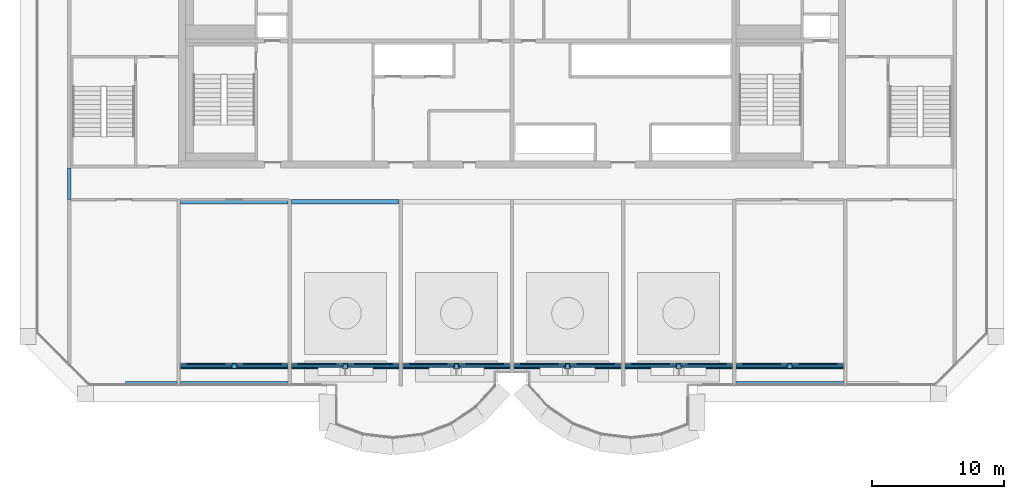
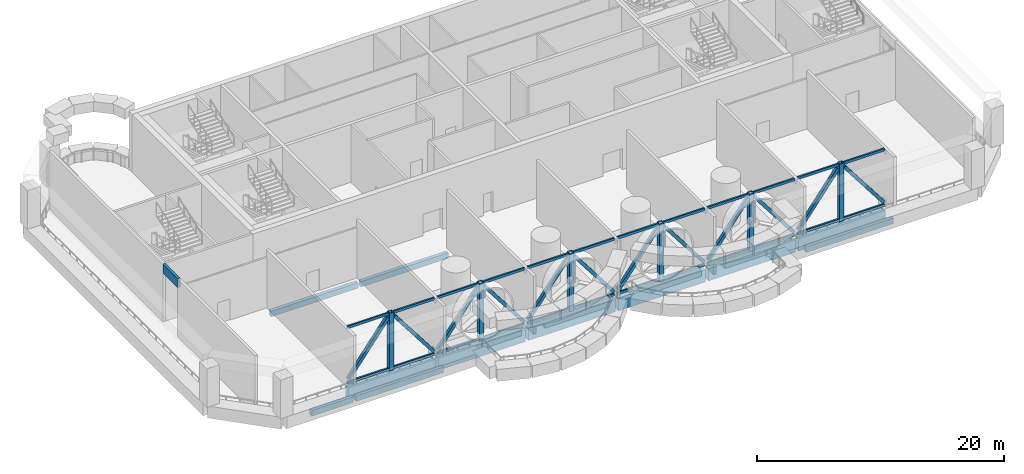
# One storey, part 1 of 15: 42 members, 12 beams.
"""IFC4 building model written with IfcOpenShell, lengths in metres."""

import ifcopenshell
import ifcopenshell.guid

model = None  # the IFC model being written
_history = None  # IfcOwnerHistory: only IFC2X3 demands one
_inside = {}  # id of a spatial element -> (the spatial element, [elements in it])
_under = {}  # id of a project, library or spatial element -> (it, [spatial elements below it])
_declared = {}  # id of a project -> (the project, [libraries it declares])
_typed = {}  # id of a type object -> (the type object, [elements of that type])
_made_of = {}  # id of a material, layer set ... -> (it, [elements and type objects made of it])


def new_model(schema):
    """Start an empty IFC model of exactly this schema.

    Asked for "IFC4X3", IfcOpenShell would pick the latest addendum, in which some entities
    have other attributes; the version numbers below select the first issue.
    IFC2X3 requires an IfcOwnerHistory on every rooted entity: one is made here for all.
    """
    global model, _history
    if schema == "IFC4X3":
        model = ifcopenshell.file(schema_version=(4, 3, 0, 0))
    else:
        model = ifcopenshell.file(schema=schema)
    _inside.clear()
    _under.clear()
    _declared.clear()
    _typed.clear()
    _made_of.clear()
    _history = None
    if model.schema == "IFC2X3":
        org = make("IfcOrganization", Name="unknown")
        user = make(
            "IfcPersonAndOrganization",
            ThePerson=make("IfcPerson", FamilyName="unknown"),
            TheOrganization=org,
        )
        app = make(
            "IfcApplication",
            ApplicationDeveloper=org,
            Version="unknown",
            ApplicationFullName="unknown",
            ApplicationIdentifier="unknown",
        )
        _history = make(
            "IfcOwnerHistory",
            OwningUser=user,
            OwningApplication=app,
            ChangeAction="ADDED",
            CreationDate=0,
        )
    return model


def make(cls, **values):
    """One entity of the class cls with the attributes given. An attribute that is None is left unset."""
    return model.create_entity(
        cls, **{name: value for name, value in values.items() if value is not None}
    )


def rooted(cls, **values):
    """An entity with a GlobalId (a new one), such as an element, a storey or a relation."""
    return make(cls, GlobalId=ifcopenshell.guid.new(), OwnerHistory=_history, **values)


def si_unit(unit_type, name, prefix=None):
    """IfcSIUnit, for example si_unit("LENGTHUNIT", "METRE", prefix="MILLI")."""
    return make("IfcSIUnit", UnitType=unit_type, Prefix=prefix, Name=name)


def assignment(units):
    """IfcUnitAssignment: the units of a project."""
    return None if units is None else make("IfcUnitAssignment", Units=units)


def point(xyz):
    """IfcCartesianPoint."""
    return None if xyz is None else make("IfcCartesianPoint", Coordinates=xyz)


def direction(xyz):
    """IfcDirection."""
    return None if xyz is None else make("IfcDirection", DirectionRatios=xyz)


def frame(location, z_axis=None, x_axis=None):
    """IfcAxis2Placement3D, a coordinate frame: its origin and axes. An axis left out is left unset."""
    return make(
        "IfcAxis2Placement3D",
        Location=point(location),
        Axis=direction(z_axis),
        RefDirection=direction(x_axis),
    )


def frame_2d(location, x_axis=None):
    """IfcAxis2Placement2D, a coordinate frame in the plane: its origin and x axis."""
    return make(
        "IfcAxis2Placement2D", Location=point(location), RefDirection=direction(x_axis)
    )


def origin():
    """The frame at (0, 0, 0) with its axes left unset."""
    return frame((0.0, 0.0, 0.0))


def origin_2d():
    """The frame at (0, 0) in the plane with its x axis left unset."""
    return frame_2d((0.0, 0.0))


def place(relative_to, where):
    """IfcLocalPlacement: puts the frame where relative to a parent placement (None: the world)."""
    return make(
        "IfcLocalPlacement", PlacementRelTo=relative_to, RelativePlacement=where
    )


def context(
    kind, dimensions, precision=None, world=None, true_north=None, identifier=None
):
    """IfcGeometricRepresentationContext, for example the 3D "Model" context."""
    return make(
        "IfcGeometricRepresentationContext",
        ContextIdentifier=identifier,
        ContextType=kind,
        CoordinateSpaceDimension=dimensions,
        Precision=precision,
        WorldCoordinateSystem=world,
        TrueNorth=true_north,
    )


def subcontext(parent, identifier, kind, view, scale=None):
    """IfcGeometricRepresentationSubContext, for example "Body" below "Model"."""
    return make(
        "IfcGeometricRepresentationSubContext",
        ContextIdentifier=identifier,
        ContextType=kind,
        ParentContext=parent,
        TargetScale=scale,
        TargetView=view,
    )


def project(units=None, contexts=None):
    """IfcProject with its units and contexts."""
    return rooted(
        "IfcProject",
        Name="project",
        RepresentationContexts=contexts,
        UnitsInContext=assignment(units),
    )


def spatial(cls, under=None, at=None, **own):
    """A site, building, storey or space (cls), placed at a placement, below another one or the project."""
    s = rooted(cls, ObjectPlacement=at, **own)
    if under is not None:
        _under.setdefault(under.id(), (under, []))[1].append(s)
    return s


def profile(cls, at=None, kind="AREA", **sizes):
    """A parametric profile (cls). Its sizes go by their IFC names, for example OverallWidth=200.0."""
    return make(cls, ProfileType=kind, Position=at, **sizes)


def rectangle(**sizes):
    """IfcRectangleProfileDef."""
    return profile("IfcRectangleProfileDef", **sizes)


def hollow_rectangle(**sizes):
    """IfcRectangleHollowProfileDef."""
    return profile("IfcRectangleHollowProfileDef", **sizes)


def extrude(swept, where, along, depth):
    """IfcExtrudedAreaSolid: the profile swept, set in the frame where, extruded along a direction by depth."""
    return make(
        "IfcExtrudedAreaSolid",
        SweptArea=swept,
        Position=where,
        ExtrudedDirection=direction(along),
        Depth=depth,
    )


def shape(context_of_items, identifier, shape_type, items):
    """IfcShapeRepresentation: the items that make up one representation, for example the "Body"."""
    return make(
        "IfcShapeRepresentation",
        ContextOfItems=context_of_items,
        RepresentationIdentifier=identifier,
        RepresentationType=shape_type,
        Items=items,
    )


def source(mapping_origin, context_of_items, identifier, shape_type, items):
    """IfcRepresentationMap: a shape defined once, which mapped items show again and again."""
    return make(
        "IfcRepresentationMap",
        MappingOrigin=mapping_origin,
        MappedRepresentation=shape(context_of_items, identifier, shape_type, items),
    )


def transform(
    local_origin,
    x_axis=None,
    y_axis=None,
    z_axis=None,
    scale=None,
    scale2=None,
    scale3=None,
    uniform=True,
):
    """IfcCartesianTransformationOperator3D, or its non-uniform kind. x_axis, y_axis, z_axis: its Axis1, 2, 3."""
    if uniform:
        return make(
            "IfcCartesianTransformationOperator3D",
            Axis1=direction(x_axis),
            Axis2=direction(y_axis),
            LocalOrigin=point(local_origin),
            Scale=scale,
            Axis3=direction(z_axis),
        )
    return make(
        "IfcCartesianTransformationOperator3DnonUniform",
        Axis1=direction(x_axis),
        Axis2=direction(y_axis),
        LocalOrigin=point(local_origin),
        Scale=scale,
        Axis3=direction(z_axis),
        Scale2=scale2,
        Scale3=scale3,
    )


def mapped(mapping_source, mapping_target):
    """IfcMappedItem: shows the shape of a source again, moved by a transform."""
    return make(
        "IfcMappedItem", MappingSource=mapping_source, MappingTarget=mapping_target
    )


def material(Name=None, Category=None):
    """IfcMaterial."""
    return make("IfcMaterial", Name=Name, Category=Category)


def material_profile(
    of_material, cross_section, Name=None, Category=None, Priority=None
):
    """IfcMaterialProfile: a cross section and its material."""
    return make(
        "IfcMaterialProfile",
        Name=Name,
        Material=of_material,
        Profile=cross_section,
        Priority=Priority,
        Category=Category,
    )


def profile_set(profiles, Name=None, composite=None):
    """IfcMaterialProfileSet."""
    return make(
        "IfcMaterialProfileSet",
        Name=Name,
        MaterialProfiles=profiles,
        CompositeProfile=composite,
    )


def made_of(thing, what):
    """Note that an element or type object is made of a material, layer set ...; save() writes the relation."""
    if what is not None:
        _made_of.setdefault(what.id(), (what, []))[1].append(thing)
    return thing


def type_object(cls, material=None, **own):
    """A type object (cls), such as IfcWallType, which elements share."""
    return made_of(rooted(cls, **own), material)


def element(
    cls,
    number,
    at=None,
    inside=None,
    cuts=None,
    type_object=None,
    material=None,
    context=None,
    identifier="Body",
    shape_type=None,
    held_by="IfcProductDefinitionShape",
    body=None,
    shapes=None,
    **own,
):
    """One element of the class cls, such as IfcWall. Its Tag is "e" and its number.

    at: its placement. inside: the storey or other place that contains it. cuts: it is an
    opening in that element (IfcRelVoidsElement). A single representation is given by context,
    identifier, shape_type and body (its items); several are given by shapes. held_by: the class
    of the entity that holds the representations. save() writes the other relations.
    """
    e = rooted(cls, Tag="e%d" % number, ObjectPlacement=at, **own)
    if body is not None:
        shapes = [shape(context, identifier, shape_type, body)]
    if shapes is not None:
        e.Representation = make(held_by, Representations=shapes)
    if inside is not None:
        _inside.setdefault(inside.id(), (inside, []))[1].append(e)
    if cuts is not None:
        rooted(
            "IfcRelVoidsElement", RelatingBuildingElement=cuts, RelatedOpeningElement=e
        )
    if type_object is not None:
        _typed.setdefault(type_object.id(), (type_object, []))[1].append(e)
    return made_of(e, material)


def aggregate(whole, parts):
    """IfcRelAggregates: a whole, such as a stair, and the parts it consists of."""
    return rooted("IfcRelAggregates", RelatingObject=whole, RelatedObjects=parts)


def save(model, path):
    """Write the relations noted so far, then the file.

    IfcRelAggregates (storeys below a building ...), IfcRelContainedInSpatialStructure (elements
    in a storey), IfcRelDefinesByType, IfcRelAssociatesMaterial and IfcRelDeclares: one each for
    every whole, place, type object, material and project.
    """
    for whole, parts in _under.values():
        aggregate(whole, parts)
    for where, things in _inside.values():
        rooted(
            "IfcRelContainedInSpatialStructure",
            RelatedElements=things,
            RelatingStructure=where,
        )
    for kind, things in _typed.values():
        rooted("IfcRelDefinesByType", RelatedObjects=things, RelatingType=kind)
    for what, things in _made_of.values():
        rooted("IfcRelAssociatesMaterial", RelatedObjects=things, RelatingMaterial=what)
    for by, libraries in _declared.values():
        rooted("IfcRelDeclares", RelatingContext=by, RelatedDefinitions=libraries)
    model.write(path)


model = new_model("IFC4")

# Units and contexts
model_context = context("Model", 3, precision=1e-05, world=origin(), true_north=direction((0.0, 1.0)))
body_context = subcontext(model_context, "Body", "Model", "MODEL_VIEW")
ifc_project = project(units=[si_unit("LENGTHUNIT", "METRE"), si_unit("AREAUNIT", "SQUARE_METRE"), si_unit("VOLUMEUNIT", "CUBIC_METRE"), si_unit("PLANEANGLEUNIT", "RADIAN"), si_unit("MASSUNIT", "GRAM", prefix="KILO")], contexts=[model_context])

# Site, building, storey
site_placement = place(None, origin())
site = spatial("IfcSite", under=ifc_project, at=site_placement, CompositionType="ELEMENT")
building_placement = place(site_placement, origin())
building = spatial("IfcBuilding", under=site, at=building_placement, Name="Vanashikhar Sky Hotel", CompositionType="ELEMENT")
storey_placement = place(building_placement, frame((0.0, 0.0, 317.699951171875)))
storey = spatial("IfcBuildingStorey", under=building, at=storey_placement, Name="L76", CompositionType="ELEMENT", Elevation=317.699951171875)

# Beams
ifc_material_1 = material(Name="Concrete M50", Category="concrete")
ifc_material_profile_1 = material_profile(ifc_material_1, rectangle(XDim=0.25, YDim=0.89990234375, at=origin_2d()))
ifc_profile_set_1 = profile_set([ifc_material_profile_1], Name="RC 250x900 beam Concrete M50")
beam_type_1 = type_object("IfcBeamType", Name="RC 250x900 beam Concrete M50", PredefinedType="LINTEL", material=ifc_profile_set_1)
shared_shape_1 = source(origin(), body_context, "Body", "SweptSolid", [
    extrude(rectangle(XDim=0.25, YDim=0.89990234375, at=origin_2d()), origin(), (0.0, 0.0, 1.0), 2.39990234375),
])
beam_1_placement = place(storey_placement, frame((16.925048828125, 19.60009765625, 5.27001953125), z_axis=(0.0, 1.0, 0.0), x_axis=(-1.0, 0.0, 0.0)))
element("IfcBeam", 1, at=beam_1_placement, inside=storey, type_object=beam_type_1, Name="LB-L76-XW03", PredefinedType="LINTEL", context=body_context, shape_type="MappedRepresentation", body=[
    mapped(shared_shape_1, transform((0.0, 0.0, 0.0), scale=1.0)),
])
ifc_material_profile_2 = material_profile(ifc_material_1, rectangle(XDim=0.35009765625, YDim=0.550048828125, at=origin_2d()))
ifc_profile_set_2 = profile_set([ifc_material_profile_2], Name="RC 350x550 beam Concrete M50")
beam_type_2 = type_object("IfcBeamType", Name="RC 350x550 beam Concrete M50", PredefinedType="SPANDREL", material=ifc_profile_set_2)
shared_shape_2 = source(origin(), body_context, "Body", "SweptSolid", [
    extrude(rectangle(XDim=0.35009765625, YDim=0.550048828125, at=origin_2d()), origin(), (0.0, 0.0, 1.0), 8.150146484375),
])
for number, where, z_axis, x_axis, name in (
    (2, (25.324951171875, 5.675048828125, -0.554931640625), (1.0, 0.0, 0.0), (0.0, 1.0, 0.0), "EB-L76-F01"),
    (3, (67.324951171875, 5.675048828125, -0.554931640625), (1.0, 0.0, 0.0), (0.0, 1.0, 0.0), "EB-L76-F03"),
    (4, (25.324951171875, 19.425048828125, -0.554931640625), (1.0, 0.0, 0.0), (0.0, 1.0, 0.0), "CB-L76-01"),
):
    element("IfcBeam", number, at=place(storey_placement, frame(where, z_axis=z_axis, x_axis=x_axis)), inside=storey, type_object=beam_type_2, Name=name, PredefinedType="SPANDREL", context=body_context, shape_type="MappedRepresentation", body=[
        mapped(shared_shape_2, transform((0.0, 0.0, 0.0), scale=1.0)),
    ])
ifc_material_profile_3 = material_profile(ifc_material_1, rectangle(XDim=0.35009765625, YDim=0.550048828125, at=origin_2d()))
ifc_profile_set_3 = profile_set([ifc_material_profile_3], Name="RC 350x550 cantilever beam Concrete M50")
beam_type_3 = type_object("IfcBeamType", Name="RC 350x550 cantilever beam Concrete M50", PredefinedType="SPANDREL", material=ifc_profile_set_3)
shared_shape_3 = source(origin(), body_context, "Body", "SweptSolid", [
    extrude(rectangle(XDim=0.35009765625, YDim=0.550048828125, at=origin_2d()), origin(), (0.0, 0.0, 1.0), 3.89990234375),
])
beam_2_placement = place(storey_placement, frame((21.175048828125, 5.675048828125, -0.554931640625), z_axis=(1.0, 0.0, 0.0), x_axis=(0.0, 1.0, 0.0)))
element("IfcBeam", 5, at=beam_2_placement, inside=storey, type_object=beam_type_3, Name="EB-L76-F02", PredefinedType="SPANDREL", context=body_context, shape_type="MappedRepresentation", body=[
    mapped(shared_shape_3, transform((0.0, 0.0, 0.0), scale=1.0)),
])
shared_shape_4 = source(origin(), body_context, "Body", "SweptSolid", [
    extrude(rectangle(XDim=0.35009765625, YDim=0.550048828125, at=origin_2d()), origin(), (0.0, 0.0, 1.0), 8.14990234375),
])
beam_3_placement = place(storey_placement, frame((33.72509765625, 19.425048828125, -0.554931640625), z_axis=(1.0, 0.0, 0.0), x_axis=(0.0, 1.0, 0.0)))
element("IfcBeam", 6, at=beam_3_placement, inside=storey, type_object=beam_type_2, Name="CB-L76-02", PredefinedType="SPANDREL", context=body_context, shape_type="MappedRepresentation", body=[
    mapped(shared_shape_4, transform((0.0, 0.0, 0.0), scale=1.0)),
])
ifc_material_profile_4 = material_profile(ifc_material_1, rectangle(XDim=0.449951171875, YDim=1.199951171875, at=origin_2d()))
ifc_profile_set_4 = profile_set([ifc_material_profile_4], Name="RC 450x1200 beam Concrete M50")
beam_type_4 = type_object("IfcBeamType", Name="RC 450x1200 beam Concrete M50", PredefinedType="BEAM", material=ifc_profile_set_4)
shared_shape_5 = source(origin(), body_context, "Body", "SweptSolid", [
    extrude(rectangle(XDim=0.449951171875, YDim=1.199951171875, at=origin_2d()), origin(), (0.0, 0.0, 1.0), 8.150146484375),
])
for number, where, z_axis, x_axis, name in (
    (7, (25.324951171875, 7.0, -0.8798828125), (1.0, 0.0, 0.0), (0.0, 1.0, 0.0), "TG-L76-F01"),
    (8, (50.52490234375, 7.0, -0.8798828125), (1.0, 0.0, 0.0), (0.0, 1.0, 0.0), "TG-L76-F04"),
    (9, (67.324951171875, 7.0, -0.8798828125), (1.0, 0.0, 0.0), (0.0, 1.0, 0.0), "TG-L76-F06"),
):
    element("IfcBeam", number, at=place(storey_placement, frame(where, z_axis=z_axis, x_axis=x_axis)), inside=storey, type_object=beam_type_4, Name=name, PredefinedType="BEAM", context=body_context, shape_type="MappedRepresentation", body=[
        mapped(shared_shape_5, transform((0.0, 0.0, 0.0), scale=1.0)),
    ])

# Members
ifc_material_2 = material(Name="Steel S355", Category="steel")
ifc_material_profile_5 = material_profile(ifc_material_2, hollow_rectangle(XDim=0.39990234375, YDim=0.39990234375, WallThickness=0.02001953125, at=origin_2d()))
ifc_profile_set_5 = profile_set([ifc_material_profile_5], Name="RHS 400x400x20 Steel S355")
member_type_1 = type_object("IfcMemberType", Name="RHS 400x400x20 Steel S355", PredefinedType="POST", material=ifc_profile_set_5)
shared_shape_6 = source(origin(), body_context, "Body", "SweptSolid", [
    extrude(hollow_rectangle(XDim=0.39990234375, YDim=0.39990234375, WallThickness=0.02001953125, at=origin_2d()), origin(), (0.0, 0.0, 1.0), 5.719970703125),
])
for number, where, z_axis, x_axis, name in (
    (10, (29.39990234375, 7.0, 0.0), (0.0, 0.0, 1.0), (1.0, 0.0, 0.0), "BP-L76-F01"),
    (11, (37.800048828125, 7.0, 0.0), (0.0, 0.0, 1.0), (1.0, 0.0, 0.0), "BP-L76-F02"),
    (12, (46.199951171875, 7.0, 0.0), (0.0, 0.0, 1.0), (1.0, 0.0, 0.0), "BP-L76-F03"),
    (13, (54.60009765625, 7.0, 0.0), (0.0, 0.0, 1.0), (1.0, 0.0, 0.0), "BP-L76-F04"),
    (14, (63.0, 7.0, 0.0), (0.0, 0.0, 1.0), (1.0, 0.0, 0.0), "BP-L76-F05"),
    (15, (71.39990234375, 7.0, 0.0), (0.0, 0.0, 1.0), (1.0, 0.0, 0.0), "BP-L76-F06"),
):
    element("IfcMember", number, at=place(storey_placement, frame(where, z_axis=z_axis, x_axis=x_axis)), inside=storey, type_object=member_type_1, Name=name, PredefinedType="POST", context=body_context, shape_type="MappedRepresentation", body=[
        mapped(shared_shape_6, transform((0.0, 0.0, 0.0), scale=1.0)),
    ])
ifc_material_profile_6 = material_profile(ifc_material_2, hollow_rectangle(XDim=0.14990234375, YDim=0.25, WallThickness=0.010009765625, at=origin_2d()))
ifc_profile_set_6 = profile_set([ifc_material_profile_6], Name="RHS 250x150x10 Steel S355")
member_type_2 = type_object("IfcMemberType", Name="RHS 250x150x10 Steel S355", PredefinedType="CHORD", material=ifc_profile_set_6)
shared_shape_7 = source(origin(), body_context, "Body", "SweptSolid", [
    extrude(hollow_rectangle(XDim=0.14990234375, YDim=0.25, WallThickness=0.010009765625, at=origin_2d()), origin(), (0.0, 0.0, 1.0), 3.875),
])
for number, where, z_axis, x_axis, name in (
    (16, (25.324951171875, 7.0, 0.125), (1.0, 0.0, 0.0), (0.0, 1.0, 0.0), "BC-L76-F01BL"),
    (17, (29.60009765625, 7.0, 0.125), (1.0, 0.0, 0.0), (0.0, 1.0, 0.0), "BC-L76-F01BR"),
    (18, (25.324951171875, 7.0, 5.594970703125), (1.0, 0.0, 0.0), (0.0, 1.0, 0.0), "BC-L76-F01TL"),
    (19, (29.60009765625, 7.0, 5.594970703125), (1.0, 0.0, 0.0), (0.0, 1.0, 0.0), "BC-L76-F01TR"),
    (20, (33.72509765625, 7.0, 0.125), (1.0, 0.0, 0.0), (0.0, 1.0, 0.0), "BC-L76-F02BL"),
    (21, (38.0, 7.0, 0.125), (1.0, 0.0, 0.0), (0.0, 1.0, 0.0), "BC-L76-F02BR"),
    (22, (33.72509765625, 7.0, 5.594970703125), (1.0, 0.0, 0.0), (0.0, 1.0, 0.0), "BC-L76-F02TL"),
    (23, (38.0, 7.0, 5.594970703125), (1.0, 0.0, 0.0), (0.0, 1.0, 0.0), "BC-L76-F02TR"),
    (24, (42.125, 7.0, 0.125), (1.0, 0.0, 0.0), (0.0, 1.0, 0.0), "BC-L76-F03BL"),
    (25, (46.39990234375, 7.0, 0.125), (1.0, 0.0, 0.0), (0.0, 1.0, 0.0), "BC-L76-F03BR"),
    (26, (42.125, 7.0, 5.594970703125), (1.0, 0.0, 0.0), (0.0, 1.0, 0.0), "BC-L76-F03TL"),
    (27, (46.39990234375, 7.0, 5.594970703125), (1.0, 0.0, 0.0), (0.0, 1.0, 0.0), "BC-L76-F03TR"),
    (28, (50.52490234375, 7.0, 0.125), (1.0, 0.0, 0.0), (0.0, 1.0, 0.0), "BC-L76-F04BL"),
    (29, (54.800048828125, 7.0, 0.125), (1.0, 0.0, 0.0), (0.0, 1.0, 0.0), "BC-L76-F04BR"),
    (30, (50.52490234375, 7.0, 5.594970703125), (1.0, 0.0, 0.0), (0.0, 1.0, 0.0), "BC-L76-F04TL"),
    (31, (54.800048828125, 7.0, 5.594970703125), (1.0, 0.0, 0.0), (0.0, 1.0, 0.0), "BC-L76-F04TR"),
    (32, (58.925048828125, 7.0, 0.125), (1.0, 0.0, 0.0), (0.0, 1.0, 0.0), "BC-L76-F05BL"),
    (33, (63.199951171875, 7.0, 0.125), (1.0, 0.0, 0.0), (0.0, 1.0, 0.0), "BC-L76-F05BR"),
    (34, (58.925048828125, 7.0, 5.594970703125), (1.0, 0.0, 0.0), (0.0, 1.0, 0.0), "BC-L76-F05TL"),
    (35, (63.199951171875, 7.0, 5.594970703125), (1.0, 0.0, 0.0), (0.0, 1.0, 0.0), "BC-L76-F05TR"),
    (36, (67.324951171875, 7.0, 0.125), (1.0, 0.0, 0.0), (0.0, 1.0, 0.0), "BC-L76-F06BL"),
    (37, (71.60009765625, 7.0, 0.125), (1.0, 0.0, 0.0), (0.0, 1.0, 0.0), "BC-L76-F06BR"),
    (38, (67.324951171875, 7.0, 5.594970703125), (1.0, 0.0, 0.0), (0.0, 1.0, 0.0), "BC-L76-F06TL"),
    (39, (71.60009765625, 7.0, 5.594970703125), (1.0, 0.0, 0.0), (0.0, 1.0, 0.0), "BC-L76-F06TR"),
):
    element("IfcMember", number, at=place(storey_placement, frame(where, z_axis=z_axis, x_axis=x_axis)), inside=storey, type_object=member_type_2, Name=name, PredefinedType="CHORD", context=body_context, shape_type="MappedRepresentation", body=[
        mapped(shared_shape_7, transform((0.0, 0.0, 0.0), scale=1.0)),
    ])
ifc_material_profile_7 = material_profile(ifc_material_2, hollow_rectangle(XDim=0.300048828125, YDim=0.300048828125, WallThickness=0.01611328125, at=origin_2d()))
ifc_profile_set_7 = profile_set([ifc_material_profile_7], Name="RHS 300x300x16 Steel S355")
member_type_3 = type_object("IfcMemberType", Name="RHS 300x300x16 Steel S355", PredefinedType="BRACE", material=ifc_profile_set_7)
shared_shape_8 = source(origin(), body_context, "Body", "SweptSolid", [
    extrude(hollow_rectangle(XDim=0.300048828125, YDim=0.300048828125, WallThickness=0.01611328125, at=origin_2d()), origin(), (0.0, 0.0, 1.0), 6.073486328125),
])
for number, where, z_axis, x_axis, name in (
    (40, (25.4150390625, 7.0, 0.449951171875), (0.608398630743, 0.0, 0.793631593443), (0.0, 1.0, 0.0), "BD-L76-F01L"),
    (41, (33.385009765625, 7.0, 0.449951171875), (-0.608398630743, 0.0, 0.793631593443), (0.0, -1.0, 0.0), "BD-L76-F01R"),
    (42, (33.81494140625, 7.0, 0.449951171875), (0.608398630743, 0.0, 0.793631593443), (0.0, 1.0, 0.0), "BD-L76-F02L"),
    (43, (50.18505859375, 7.0, 0.449951171875), (-0.608398630743, 0.0, 0.793631593443), (0.0, -1.0, 0.0), "BD-L76-F03R"),
    (44, (50.614990234375, 7.0, 0.449951171875), (0.608398630743, 0.0, 0.793631593443), (0.0, 1.0, 0.0), "BD-L76-F04L"),
    (45, (58.5849609375, 7.0, 0.449951171875), (-0.608398630743, 0.0, 0.793631593443), (0.0, -1.0, 0.0), "BD-L76-F04R"),
    (46, (59.014892578125, 7.0, 0.449951171875), (0.608398630743, 0.0, 0.793631593443), (0.0, 1.0, 0.0), "BD-L76-F05L"),
    (47, (66.985107421875, 7.0, 0.449951171875), (-0.608398630743, 0.0, 0.793631593443), (0.0, -1.0, 0.0), "BD-L76-F05R"),
    (48, (67.4150390625, 7.0, 0.449951171875), (0.608398630743, 0.0, 0.793631593443), (0.0, 1.0, 0.0), "BD-L76-F06L"),
    (49, (75.385009765625, 7.0, 0.449951171875), (-0.608398630743, 0.0, 0.793631593443), (0.0, -1.0, 0.0), "BD-L76-F06R"),
):
    element("IfcMember", number, at=place(storey_placement, frame(where, z_axis=z_axis, x_axis=x_axis)), inside=storey, type_object=member_type_3, Name=name, PredefinedType="BRACE", context=body_context, shape_type="MappedRepresentation", body=[
        mapped(shared_shape_8, transform((0.0, 0.0, 0.0), scale=1.0)),
    ])

# Beams
shared_shape_9 = source(origin(), body_context, "Body", "SweptSolid", [
    extrude(rectangle(XDim=0.449951171875, YDim=1.199951171875, at=origin_2d()), origin(), (0.0, 0.0, 1.0), 8.14990234375),
])
for number, where, z_axis, x_axis, name in (
    (50, (33.72509765625, 7.0, -0.8798828125), (1.0, 0.0, 0.0), (0.0, 1.0, 0.0), "TG-L76-F02"),
    (51, (42.125, 7.0, -0.8798828125), (1.0, 0.0, 0.0), (0.0, 1.0, 0.0), "TG-L76-F03"),
    (52, (58.925048828125, 7.0, -0.8798828125), (1.0, 0.0, 0.0), (0.0, 1.0, 0.0), "TG-L76-F05"),
):
    element("IfcBeam", number, at=place(storey_placement, frame(where, z_axis=z_axis, x_axis=x_axis)), inside=storey, type_object=beam_type_4, Name=name, PredefinedType="BEAM", context=body_context, shape_type="MappedRepresentation", body=[
        mapped(shared_shape_9, transform((0.0, 0.0, 0.0), scale=1.0)),
    ])

# Members
shared_shape_10 = source(origin(), body_context, "Body", "SweptSolid", [
    extrude(hollow_rectangle(XDim=0.300048828125, YDim=0.300048828125, WallThickness=0.01611328125, at=origin_2d()), origin(), (0.0, 0.0, 1.0), 6.0732421875),
])
for number, where, z_axis, x_axis, name in (
    (53, (41.784912109375, 7.0, 0.449951171875), (-0.60837331098, 0.0, 0.793651002952), (0.0, -1.0, 0.0), "BD-L76-F02R"),
    (54, (42.215087890625, 7.0, 0.449951171875), (0.60837331098, 0.0, 0.793651002952), (0.0, 1.0, 0.0), "BD-L76-F03L"),
):
    element("IfcMember", number, at=place(storey_placement, frame(where, z_axis=z_axis, x_axis=x_axis)), inside=storey, type_object=member_type_3, Name=name, PredefinedType="BRACE", context=body_context, shape_type="MappedRepresentation", body=[
        mapped(shared_shape_10, transform((0.0, 0.0, 0.0), scale=1.0)),
    ])

save(model, "model.ifc")
